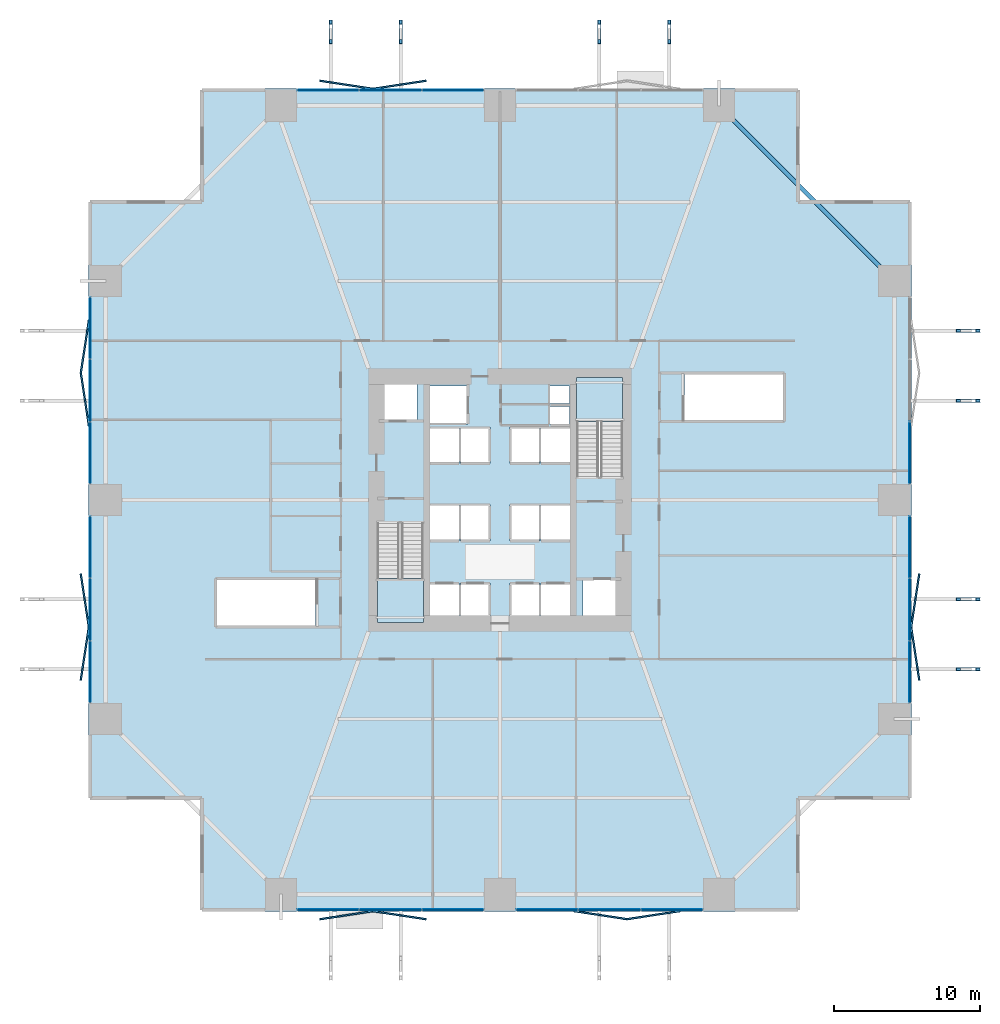
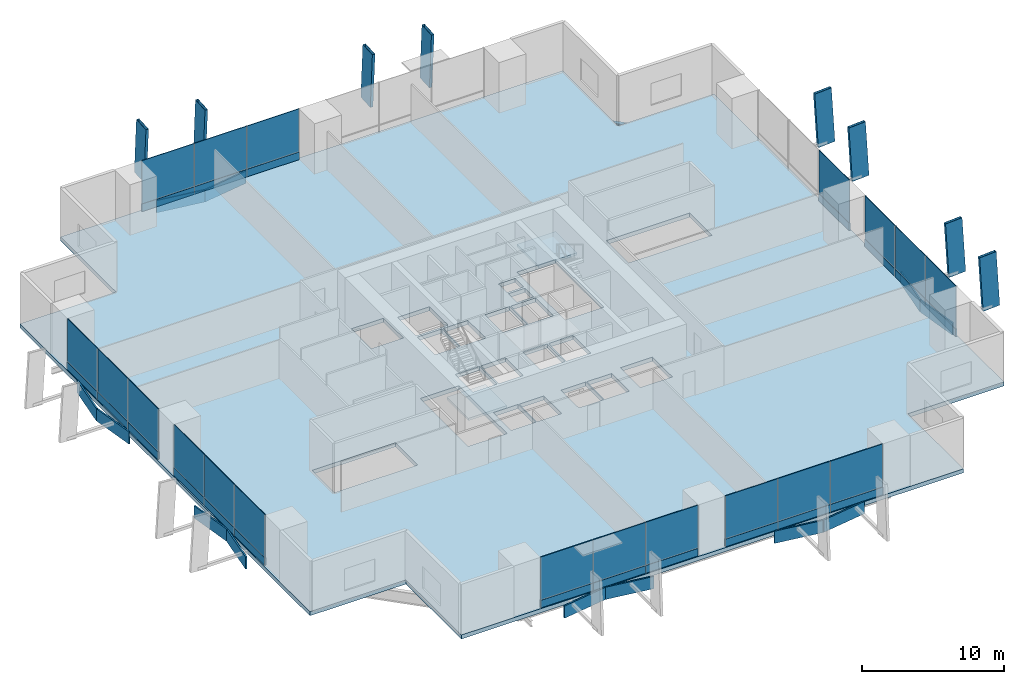
# One storey, part 18 of 24: 50 plates, 8 members, 3 slabs, 1 beam, 9 elements without a shape of their own.
"""IFC4 building model written with IfcOpenShell, lengths in metres."""

from ifc_helpers import new_model, si_unit, direction, frame, origin, origin_2d, place, context, subcontext, project, spatial, polyline, rectangle, hollow_rectangle, i_section, outline, extrude, material, layer, layer_set, material_profile, profile_set, type_object, element, aggregate, save


model = new_model("IFC4")

# Units and contexts
model_context = context("Model", 3, precision=1e-05, world=origin(), true_north=direction((0.0, 1.0)))
body_context = subcontext(model_context, "Body", "Model", "MODEL_VIEW")
ifc_project = project(units=[si_unit("LENGTHUNIT", "METRE"), si_unit("AREAUNIT", "SQUARE_METRE"), si_unit("VOLUMEUNIT", "CUBIC_METRE"), si_unit("PLANEANGLEUNIT", "RADIAN"), si_unit("MASSUNIT", "GRAM", prefix="KILO")], contexts=[model_context])

# Site, building, storey
site_placement = place(None, origin())
site = spatial("IfcSite", under=ifc_project, at=site_placement, CompositionType="ELEMENT")
building_placement = place(site_placement, origin())
building = spatial("IfcBuilding", under=site, at=building_placement, Name="Belovzor Exchange Tower", CompositionType="ELEMENT")
storey_placement = place(building_placement, frame((0.0, 0.0, 19.199951171875)))
storey = spatial("IfcBuildingStorey", under=building, at=storey_placement, Name="L04", CompositionType="ELEMENT", Elevation=19.199951171875)

# Members
ifc_material_1 = material(Name="Extruded Architectural Terracotta on Steel S355 Carrier", Category="masonry")
ifc_material_profile_1 = material_profile(ifc_material_1, hollow_rectangle(XDim=0.219970703125, YDim=1.35009765625, WallThickness=0.013916015625, at=origin_2d()))
ifc_profile_set_1 = profile_set([ifc_material_profile_1], Name="Extruded Architectural Terracotta on Steel S355 Carrier")
member_type = type_object("IfcMemberType", Name="Base Arc Sweeping Terracotta Pylon Fin 1450", PredefinedType="USERDEFINED", material=ifc_profile_set_1)
for number, where, z_axis, x_axis, name in (
    (1, (17.199951171875, 61.001953125, -0.349853515625), (0.0, -0.061387304598, 0.998114020959), (1.0, 0.0, 0.0), "FIN-TC145 Terracotta Facade Fin L04 N1"),
    (2, (61.001953125, 17.199951171875, -0.349853515625), (-0.061387304598, 0.0, 0.998114020959), (0.0, -1.0, 0.0), "FIN-TC145 Terracotta Facade Fin L04 E1"),
    (3, (22.0, 61.001953125, -0.349853515625), (0.0, -0.061387304598, 0.998114020959), (1.0, 0.0, 0.0), "FIN-TC145 Terracotta Facade Fin L04 N2"),
    (4, (61.001953125, 22.0, -0.349853515625), (-0.061387304598, 0.0, 0.998114020959), (0.0, -1.0, 0.0), "FIN-TC145 Terracotta Facade Fin L04 E2"),
    (5, (35.60009765625, 61.001953125, -0.349853515625), (0.0, -0.061387304598, 0.998114020959), (1.0, 0.0, 0.0), "FIN-TC145 Terracotta Facade Fin L04 N3"),
    (6, (61.001953125, 35.60009765625, -0.349853515625), (-0.061387304598, 0.0, 0.998114020959), (0.0, -1.0, 0.0), "FIN-TC145 Terracotta Facade Fin L04 E3"),
    (7, (40.39990234375, 61.001953125, -0.349853515625), (0.0, -0.061387304598, 0.998114020959), (1.0, 0.0, 0.0), "FIN-TC145 Terracotta Facade Fin L04 N4"),
    (8, (61.001953125, 40.39990234375, -0.349853515625), (-0.061387304598, 0.0, 0.998114020959), (0.0, -1.0, 0.0), "FIN-TC145 Terracotta Facade Fin L04 E4"),
):
    element("IfcMember", number, at=place(storey_placement, frame(where, z_axis=z_axis, x_axis=x_axis)), inside=storey, type_object=member_type, Name=name, ObjectType="FIN", PredefinedType="USERDEFINED", context=body_context, shape_type="SweptSolid", body=[
        extrude(hollow_rectangle(XDim=0.219970703125, YDim=1.35009765625, WallThickness=0.013916015625, at=origin_2d()), origin(), (0.0, 0.0, 1.0), 4.708740234375),
    ])

# Beam
ifc_material_2 = material(Name="Steel S460", Category="steel")
ifc_material_profile_2 = material_profile(ifc_material_2, i_section(OverallWidth=0.300048828125, OverallDepth=1.0, WebThickness=0.02099609375, FlangeThickness=0.0400390625, at=origin_2d()))
ifc_profile_set_2 = profile_set([ifc_material_profile_2], Name="Steel S460")
beam_type = type_object("IfcBeamType", Name="Podium Exchange Hall Ring Girder HEM 1000", PredefinedType="BEAM", material=ifc_profile_set_2)
beam_placement = place(storey_placement, frame((55.800048828125, 43.800048828125, -0.849853515625), z_axis=(-0.707106781187, 0.707106781187, 0.0), x_axis=(-0.707106781187, -0.707106781187, 0.0)))
element("IfcBeam", 9, at=beam_placement, inside=storey, type_object=beam_type, Name="PG-1 Podium Exchange Hall Ring Girder HEM 1000", PredefinedType="BEAM", context=body_context, shape_type="SweptSolid", body=[
    extrude(i_section(OverallWidth=0.300048828125, OverallDepth=1.0, WebThickness=0.02099609375, FlangeThickness=0.0400390625, at=origin_2d()), origin(), (0.0, 0.0, 1.0), 16.970458984375),
])

# Plates
ifc_material_3 = material(Name="Extruded Architectural Terracotta", Category="masonry")
ifc_layer_1 = layer(ifc_material_3, 0.1201171875)
ifc_layer_set_1 = layer_set([ifc_layer_1], Name="Extruded Architectural Terracotta")
plate_type_1 = type_object("IfcPlateType", Name="Folded Zigzag Terracotta Spandrel Louvre 80", PredefinedType="USERDEFINED", material=ifc_layer_set_1)
for number, where, z_axis, x_axis, name in (
    (10, (18.300048828125, 0.364990234375, -1.03515625), (0.0, 0.0, 1.0), (0.98853081729, 0.151019281113, 0.0), "LVR-ZZ1 Zigzag Terracotta Spandrel Louvre L04 S1A"),
    (11, (21.89990234375, 0.364990234375, -1.03515625), (0.0, 0.0, 1.0), (0.98853081729, -0.151019281113, 0.0), "LVR-ZZ1 Zigzag Terracotta Spandrel Louvre L04 S1B"),
    (12, (18.300048828125, 57.235107421875, -1.03515625), (0.0, 0.0, 1.0), (0.98853081729, -0.151019281113, 0.0), "LVR-ZZ1 Zigzag Terracotta Spandrel Louvre L04 N1A"),
    (13, (21.89990234375, 57.235107421875, -1.03515625), (0.0, 0.0, 1.0), (0.98853081729, 0.151019281113, 0.0), "LVR-ZZ1 Zigzag Terracotta Spandrel Louvre L04 N1B"),
    (14, (0.364990234375, 18.300048828125, -1.03515625), (0.0, 0.0, 1.0), (0.151019281113, 0.98853081729, 0.0), "LVR-ZZ1 Zigzag Terracotta Spandrel Louvre L04 W1A"),
    (15, (0.364990234375, 21.89990234375, -1.03515625), (0.0, 0.0, 1.0), (-0.151019281113, 0.98853081729, 0.0), "LVR-ZZ1 Zigzag Terracotta Spandrel Louvre L04 W1B"),
    (16, (57.235107421875, 18.300048828125, -1.03515625), (0.0, 0.0, 1.0), (-0.151019281113, 0.98853081729, 0.0), "LVR-ZZ1 Zigzag Terracotta Spandrel Louvre L04 E1A"),
    (17, (57.235107421875, 21.89990234375, -1.03515625), (0.0, 0.0, 1.0), (0.151019281113, 0.98853081729, 0.0), "LVR-ZZ1 Zigzag Terracotta Spandrel Louvre L04 E1B"),
    (18, (35.699951171875, 0.364990234375, -1.03515625), (0.0, 0.0, 1.0), (0.98853081729, -0.151019281113, 0.0), "LVR-ZZ1 Zigzag Terracotta Spandrel Louvre L04 S2A"),
    (19, (39.300048828125, 0.364990234375, -1.03515625), (0.0, 0.0, 1.0), (0.98853081729, 0.151019281113, 0.0), "LVR-ZZ1 Zigzag Terracotta Spandrel Louvre L04 S2B"),
    (20, (0.364990234375, 35.699951171875, -1.03515625), (0.0, 0.0, 1.0), (-0.151019281113, 0.98853081729, 0.0), "LVR-ZZ1 Zigzag Terracotta Spandrel Louvre L04 W2A"),
    (21, (0.364990234375, 39.300048828125, -1.03515625), (0.0, 0.0, 1.0), (0.151019281113, 0.98853081729, 0.0), "LVR-ZZ1 Zigzag Terracotta Spandrel Louvre L04 W2B"),
):
    element("IfcPlate", number, at=place(storey_placement, frame(where, z_axis=z_axis, x_axis=x_axis)), inside=storey, type_object=plate_type_1, Name=name, ObjectType="SPANDREL_LOUVRE", PredefinedType="USERDEFINED", context=body_context, shape_type="SweptSolid", body=[
        extrude(rectangle(XDim=3.721923828125, YDim=0.1201171875, at=origin_2d()), origin(), (0.0, 0.0, 1.0), 1.050048828125),
    ])

# Curtain wall, plates
ifc_material_4 = material(Name="Anodised Aluminium Framing", Category="aluminium")
ifc_layer_2 = layer(ifc_material_4, 0.2099609375)
ifc_layer_set_2 = layer_set([ifc_layer_2], Name="Anodised Aluminium Framing")
curtain_wall_type = type_object("IfcCurtainWallType", Name="Double-Height Concourse & Gallery Curtain Wall", PredefinedType="NOTDEFINED", material=ifc_layer_set_2)
curtain_wall_1_placement = place(storey_placement, origin())
curtain_wall_1 = element("IfcCurtainWall", 22, at=curtain_wall_1_placement, inside=storey, type_object=curtain_wall_type, Name="CW2 Double-Height Concourse & Gallery Curtain Wall L04", PredefinedType="NOTDEFINED")
ifc_material_5 = material(Name="Reconstituted Limestone Cassette", Category="masonry")
ifc_layer_3 = layer(ifc_material_5, 0.110107421875)
ifc_layer_set_3 = layer_set([ifc_layer_3], Name="Reconstituted Limestone Cassette")
plate_type_2 = type_object("IfcPlateType", Name="Insulated Stone-Faced Spandrel Cassette 110", PredefinedType="CURTAIN_PANEL", material=ifc_layer_set_3)
plate_1_placement = place(storey_placement, frame((25.56689453125, 0.72998046875, 0.0), z_axis=(0.0, 0.0, 1.0), x_axis=(-1.0, 0.0, 0.0)))
plate_1 = element("IfcPlate", 23, at=plate_1_placement, type_object=plate_type_2, Name="SPD-110 Spandrel Panel 1", PredefinedType="CURTAIN_PANEL", context=body_context, shape_type="SweptSolid", body=[
    extrude(rectangle(XDim=4.2509765625, YDim=0.110107421875, at=origin_2d()), origin(), (0.0, 0.0, 1.0), 0.64794921875),
])
plate_2_placement = place(storey_placement, frame((21.300048828125, 0.72998046875, 0.0), z_axis=(0.0, 0.0, 1.0), x_axis=(-1.0, 0.0, 0.0)))
plate_2 = element("IfcPlate", 24, at=plate_2_placement, type_object=plate_type_2, Name="SPD-110 Spandrel Panel 2", PredefinedType="CURTAIN_PANEL", context=body_context, shape_type="SweptSolid", body=[
    extrude(rectangle(XDim=4.2509765625, YDim=0.110107421875, at=origin_2d()), origin(), (0.0, 0.0, 1.0), 0.64794921875),
])
plate_3_placement = place(storey_placement, frame((17.032958984375, 0.72998046875, 0.0), z_axis=(0.0, 0.0, 1.0), x_axis=(-1.0, 0.0, 0.0)))
plate_3 = element("IfcPlate", 25, at=plate_3_placement, type_object=plate_type_2, Name="SPD-110 Spandrel Panel 3", PredefinedType="CURTAIN_PANEL", context=body_context, shape_type="SweptSolid", body=[
    extrude(rectangle(XDim=4.2509765625, YDim=0.110107421875, at=origin_2d()), origin(), (0.0, 0.0, 1.0), 0.64794921875),
])

curtain_wall_2_placement = place(storey_placement, origin())
curtain_wall_2 = element("IfcCurtainWall", 26, at=curtain_wall_2_placement, inside=storey, type_object=curtain_wall_type, Name="CW2 Double-Height Concourse & Gallery Curtain Wall L04", PredefinedType="NOTDEFINED")
plate_4_placement = place(storey_placement, frame((40.56689453125, 0.72998046875, 0.0), z_axis=(0.0, 0.0, 1.0), x_axis=(-1.0, 0.0, 0.0)))
plate_4 = element("IfcPlate", 27, at=plate_4_placement, type_object=plate_type_2, Name="SPD-110 Spandrel Panel 1", PredefinedType="CURTAIN_PANEL", context=body_context, shape_type="SweptSolid", body=[
    extrude(rectangle(XDim=4.2509765625, YDim=0.110107421875, at=origin_2d()), origin(), (0.0, 0.0, 1.0), 0.64794921875),
])
plate_5_placement = place(storey_placement, frame((36.300048828125, 0.72998046875, 0.0), z_axis=(0.0, 0.0, 1.0), x_axis=(-1.0, 0.0, 0.0)))
plate_5 = element("IfcPlate", 28, at=plate_5_placement, type_object=plate_type_2, Name="SPD-110 Spandrel Panel 2", PredefinedType="CURTAIN_PANEL", context=body_context, shape_type="SweptSolid", body=[
    extrude(rectangle(XDim=4.2509765625, YDim=0.110107421875, at=origin_2d()), origin(), (0.0, 0.0, 1.0), 0.64794921875),
])
plate_6_placement = place(storey_placement, frame((32.032958984375, 0.72998046875, 0.0), z_axis=(0.0, 0.0, 1.0), x_axis=(-1.0, 0.0, 0.0)))
plate_6 = element("IfcPlate", 29, at=plate_6_placement, type_object=plate_type_2, Name="SPD-110 Spandrel Panel 3", PredefinedType="CURTAIN_PANEL", context=body_context, shape_type="SweptSolid", body=[
    extrude(rectangle(XDim=4.2509765625, YDim=0.110107421875, at=origin_2d()), origin(), (0.0, 0.0, 1.0), 0.64794921875),
])

curtain_wall_3_placement = place(storey_placement, origin())
curtain_wall_3 = element("IfcCurtainWall", 30, at=curtain_wall_3_placement, inside=storey, type_object=curtain_wall_type, Name="CW2 Double-Height Concourse & Gallery Curtain Wall L04", PredefinedType="NOTDEFINED")
plate_7_placement = place(storey_placement, frame((17.032958984375, 56.8701171875, 0.0), z_axis=(0.0, 0.0, 1.0), x_axis=(1.0, 0.0, 0.0)))
plate_7 = element("IfcPlate", 31, at=plate_7_placement, type_object=plate_type_2, Name="SPD-110 Spandrel Panel 1", PredefinedType="CURTAIN_PANEL", context=body_context, shape_type="SweptSolid", body=[
    extrude(rectangle(XDim=4.2509765625, YDim=0.110107421875, at=origin_2d()), origin(), (0.0, 0.0, 1.0), 0.64794921875),
])
plate_8_placement = place(storey_placement, frame((21.300048828125, 56.8701171875, 0.0), z_axis=(0.0, 0.0, 1.0), x_axis=(1.0, 0.0, 0.0)))
plate_8 = element("IfcPlate", 32, at=plate_8_placement, type_object=plate_type_2, Name="SPD-110 Spandrel Panel 2", PredefinedType="CURTAIN_PANEL", context=body_context, shape_type="SweptSolid", body=[
    extrude(rectangle(XDim=4.2509765625, YDim=0.110107421875, at=origin_2d()), origin(), (0.0, 0.0, 1.0), 0.64794921875),
])
plate_9_placement = place(storey_placement, frame((25.56689453125, 56.8701171875, 0.0), z_axis=(0.0, 0.0, 1.0), x_axis=(1.0, 0.0, 0.0)))
plate_9 = element("IfcPlate", 33, at=plate_9_placement, type_object=plate_type_2, Name="SPD-110 Spandrel Panel 3", PredefinedType="CURTAIN_PANEL", context=body_context, shape_type="SweptSolid", body=[
    extrude(rectangle(XDim=4.2509765625, YDim=0.110107421875, at=origin_2d()), origin(), (0.0, 0.0, 1.0), 0.64794921875),
])

curtain_wall_4_placement = place(storey_placement, origin())
curtain_wall_4 = element("IfcCurtainWall", 34, at=curtain_wall_4_placement, inside=storey, type_object=curtain_wall_type, Name="CW2 Double-Height Concourse & Gallery Curtain Wall L04", PredefinedType="NOTDEFINED")
plate_10_placement = place(storey_placement, frame((0.72998046875, 17.032958984375, 0.0), z_axis=(0.0, 0.0, 1.0), x_axis=(0.0, 1.0, 0.0)))
plate_10 = element("IfcPlate", 35, at=plate_10_placement, type_object=plate_type_2, Name="SPD-110 Spandrel Panel 1", PredefinedType="CURTAIN_PANEL", context=body_context, shape_type="SweptSolid", body=[
    extrude(rectangle(XDim=4.2509765625, YDim=0.110107421875, at=origin_2d()), origin(), (0.0, 0.0, 1.0), 0.64794921875),
])
plate_11_placement = place(storey_placement, frame((0.72998046875, 21.300048828125, 0.0), z_axis=(0.0, 0.0, 1.0), x_axis=(0.0, 1.0, 0.0)))
plate_11 = element("IfcPlate", 36, at=plate_11_placement, type_object=plate_type_2, Name="SPD-110 Spandrel Panel 2", PredefinedType="CURTAIN_PANEL", context=body_context, shape_type="SweptSolid", body=[
    extrude(rectangle(XDim=4.2509765625, YDim=0.110107421875, at=origin_2d()), origin(), (0.0, 0.0, 1.0), 0.64794921875),
])
plate_12_placement = place(storey_placement, frame((0.72998046875, 25.56689453125, 0.0), z_axis=(0.0, 0.0, 1.0), x_axis=(0.0, 1.0, 0.0)))
plate_12 = element("IfcPlate", 37, at=plate_12_placement, type_object=plate_type_2, Name="SPD-110 Spandrel Panel 3", PredefinedType="CURTAIN_PANEL", context=body_context, shape_type="SweptSolid", body=[
    extrude(rectangle(XDim=4.2509765625, YDim=0.110107421875, at=origin_2d()), origin(), (0.0, 0.0, 1.0), 0.64794921875),
])

curtain_wall_5_placement = place(storey_placement, origin())
curtain_wall_5 = element("IfcCurtainWall", 38, at=curtain_wall_5_placement, inside=storey, type_object=curtain_wall_type, Name="CW2 Double-Height Concourse & Gallery Curtain Wall L04", PredefinedType="NOTDEFINED")
plate_13_placement = place(storey_placement, frame((0.72998046875, 32.032958984375, 0.0), z_axis=(0.0, 0.0, 1.0), x_axis=(0.0, 1.0, 0.0)))
plate_13 = element("IfcPlate", 39, at=plate_13_placement, type_object=plate_type_2, Name="SPD-110 Spandrel Panel 1", PredefinedType="CURTAIN_PANEL", context=body_context, shape_type="SweptSolid", body=[
    extrude(rectangle(XDim=4.2509765625, YDim=0.110107421875, at=origin_2d()), origin(), (0.0, 0.0, 1.0), 0.64794921875),
])
plate_14_placement = place(storey_placement, frame((0.72998046875, 36.300048828125, 0.0), z_axis=(0.0, 0.0, 1.0), x_axis=(0.0, 1.0, 0.0)))
plate_14 = element("IfcPlate", 40, at=plate_14_placement, type_object=plate_type_2, Name="SPD-110 Spandrel Panel 2", PredefinedType="CURTAIN_PANEL", context=body_context, shape_type="SweptSolid", body=[
    extrude(rectangle(XDim=4.2509765625, YDim=0.110107421875, at=origin_2d()), origin(), (0.0, 0.0, 1.0), 0.64794921875),
])
plate_15_placement = place(storey_placement, frame((0.72998046875, 40.56689453125, 0.0), z_axis=(0.0, 0.0, 1.0), x_axis=(0.0, 1.0, 0.0)))
plate_15 = element("IfcPlate", 41, at=plate_15_placement, type_object=plate_type_2, Name="SPD-110 Spandrel Panel 3", PredefinedType="CURTAIN_PANEL", context=body_context, shape_type="SweptSolid", body=[
    extrude(rectangle(XDim=4.2509765625, YDim=0.110107421875, at=origin_2d()), origin(), (0.0, 0.0, 1.0), 0.64794921875),
])

curtain_wall_6_placement = place(storey_placement, origin())
curtain_wall_6 = element("IfcCurtainWall", 42, at=curtain_wall_6_placement, inside=storey, type_object=curtain_wall_type, Name="CW2 Double-Height Concourse & Gallery Curtain Wall L04", PredefinedType="NOTDEFINED")
plate_16_placement = place(storey_placement, frame((56.8701171875, 25.56689453125, 0.0), z_axis=(0.0, 0.0, 1.0), x_axis=(0.0, -1.0, 0.0)))
plate_16 = element("IfcPlate", 43, at=plate_16_placement, type_object=plate_type_2, Name="SPD-110 Spandrel Panel 1", PredefinedType="CURTAIN_PANEL", context=body_context, shape_type="SweptSolid", body=[
    extrude(rectangle(XDim=4.2509765625, YDim=0.110107421875, at=origin_2d()), origin(), (0.0, 0.0, 1.0), 0.64794921875),
])
plate_17_placement = place(storey_placement, frame((56.8701171875, 21.300048828125, 0.0), z_axis=(0.0, 0.0, 1.0), x_axis=(0.0, -1.0, 0.0)))
plate_17 = element("IfcPlate", 44, at=plate_17_placement, type_object=plate_type_2, Name="SPD-110 Spandrel Panel 2", PredefinedType="CURTAIN_PANEL", context=body_context, shape_type="SweptSolid", body=[
    extrude(rectangle(XDim=4.2509765625, YDim=0.110107421875, at=origin_2d()), origin(), (0.0, 0.0, 1.0), 0.64794921875),
])
plate_18_placement = place(storey_placement, frame((56.8701171875, 17.032958984375, 0.0), z_axis=(0.0, 0.0, 1.0), x_axis=(0.0, -1.0, 0.0)))
plate_18 = element("IfcPlate", 45, at=plate_18_placement, type_object=plate_type_2, Name="SPD-110 Spandrel Panel 3", PredefinedType="CURTAIN_PANEL", context=body_context, shape_type="SweptSolid", body=[
    extrude(rectangle(XDim=4.2509765625, YDim=0.110107421875, at=origin_2d()), origin(), (0.0, 0.0, 1.0), 0.64794921875),
])

# Curtain wall, plate
curtain_wall_7_placement = place(storey_placement, origin())
curtain_wall_7 = element("IfcCurtainWall", 46, at=curtain_wall_7_placement, inside=storey, type_object=curtain_wall_type, Name="CW2 Double-Height Concourse & Gallery Curtain Wall L04", PredefinedType="NOTDEFINED")
plate_19_placement = place(storey_placement, frame((56.8701171875, 32.032958984375, 0.0), z_axis=(0.0, 0.0, 1.0), x_axis=(0.0, -1.0, 0.0)))
plate_19 = element("IfcPlate", 47, at=plate_19_placement, type_object=plate_type_2, Name="SPD-110 Spandrel Panel 3", PredefinedType="CURTAIN_PANEL", context=body_context, shape_type="SweptSolid", body=[
    extrude(rectangle(XDim=4.2509765625, YDim=0.110107421875, at=origin_2d()), origin(), (0.0, 0.0, 1.0), 0.64794921875),
])

# Slab
ifc_material_6 = material(Name="Concrete C50/60", Category="concrete")
ifc_layer_4 = layer(ifc_material_6, 0.35009765625)
ifc_layer_set_4 = layer_set([ifc_layer_4], Name="Concrete C50/60")
slab_type_1 = type_object("IfcSlabType", Name="Reinforced Concrete Podium Hall Floor Slab 350", PredefinedType="FLOOR", material=ifc_layer_set_4)
slab_1_placement = place(storey_placement, frame((0.0, 0.0, -0.349853515625)))
element("IfcSlab", 48, at=slab_1_placement, inside=storey, type_object=slab_type_1, Name="SL-F350 Structural Slab L04", PredefinedType="FLOOR", context=body_context, shape_type="SweptSolid", body=[
    extrude(outline(polyline([(8.39990234375, 0.60009765625), (49.199951171875, 0.60009765625), (49.199951171875, 8.39990234375), (57.0, 8.39990234375), (57.0, 49.199951171875), (49.199951171875, 49.199951171875), (49.199951171875, 57.0), (8.39990234375, 57.0), (8.39990234375, 49.199951171875), (0.60009765625, 49.199951171875), (0.60009765625, 8.39990234375), (8.39990234375, 8.39990234375), (8.39990234375, 0.60009765625)]), holes=[polyline([(20.39990234375, 27.175048828125), (20.39990234375, 20.39990234375), (23.550048828125, 20.39990234375), (23.550048828125, 27.175048828125), (20.39990234375, 27.175048828125)]), polyline([(37.199951171875, 30.425048828125), (37.199951171875, 37.199951171875), (34.050048828125, 37.199951171875), (34.050048828125, 30.425048828125), (37.199951171875, 30.425048828125)]), polyline([(16.175048828125, 23.35009765625), (9.39990234375, 23.35009765625), (9.39990234375, 20.199951171875), (16.175048828125, 20.199951171875), (16.175048828125, 23.35009765625)]), polyline([(41.425048828125, 34.25), (48.199951171875, 34.25), (48.199951171875, 37.39990234375), (41.425048828125, 37.39990234375), (41.425048828125, 34.25)]), polyline([(20.5, 34.199951171875), (23.10009765625, 34.199951171875), (23.10009765625, 37.0), (20.5, 37.0), (20.5, 34.199951171875)]), polyline([(34.5, 20.60009765625), (37.10009765625, 20.60009765625), (37.10009765625, 23.39990234375), (34.5, 23.39990234375), (34.5, 20.60009765625)]), polyline([(24.0, 34.0), (26.60009765625, 34.0), (26.60009765625, 36.60009765625), (24.0, 36.60009765625), (24.0, 34.0)]), polyline([(24.0, 20.60009765625), (26.0, 20.60009765625), (26.0, 23.10009765625), (24.0, 23.10009765625), (24.0, 20.60009765625)]), polyline([(26.10009765625, 20.60009765625), (28.10009765625, 20.60009765625), (28.10009765625, 23.10009765625), (26.10009765625, 23.10009765625), (26.10009765625, 20.60009765625)]), polyline([(29.5, 20.60009765625), (31.5, 20.60009765625), (31.5, 23.10009765625), (29.5, 23.10009765625), (29.5, 20.60009765625)]), polyline([(31.60009765625, 20.60009765625), (33.60009765625, 20.60009765625), (33.60009765625, 23.10009765625), (31.60009765625, 23.10009765625), (31.60009765625, 20.60009765625)]), polyline([(24.0, 26.0), (26.0, 26.0), (26.0, 28.5), (24.0, 28.5), (24.0, 26.0)]), polyline([(26.10009765625, 26.0), (28.10009765625, 26.0), (28.10009765625, 28.5), (26.10009765625, 28.5), (26.10009765625, 26.0)]), polyline([(29.5, 26.0), (31.5, 26.0), (31.5, 28.5), (29.5, 28.5), (29.5, 26.0)]), polyline([(31.60009765625, 26.0), (33.60009765625, 26.0), (33.60009765625, 28.5), (31.60009765625, 28.5), (31.60009765625, 26.0)]), polyline([(24.0, 31.300048828125), (26.0, 31.300048828125), (26.0, 33.800048828125), (24.0, 33.800048828125), (24.0, 31.300048828125)]), polyline([(26.10009765625, 31.300048828125), (28.10009765625, 31.300048828125), (28.10009765625, 33.800048828125), (26.10009765625, 33.800048828125), (26.10009765625, 31.300048828125)]), polyline([(29.5, 31.300048828125), (31.5, 31.300048828125), (31.5, 33.800048828125), (29.5, 33.800048828125), (29.5, 31.300048828125)]), polyline([(31.60009765625, 31.300048828125), (33.60009765625, 31.300048828125), (33.60009765625, 33.800048828125), (31.60009765625, 33.800048828125), (31.60009765625, 31.300048828125)]), polyline([(32.199951171875, 34.0), (33.550048828125, 34.0), (33.550048828125, 35.199951171875), (32.199951171875, 35.199951171875), (32.199951171875, 34.0)]), polyline([(32.199951171875, 35.39990234375), (33.550048828125, 35.39990234375), (33.550048828125, 36.60009765625), (32.199951171875, 36.60009765625), (32.199951171875, 35.39990234375)])]), origin(), (0.0, 0.0, 1.0), 0.349853515625),
])

# Stair, slab
ifc_material_7 = material(Name="Concrete C40/50", Category="concrete")
stair_type = type_object("IfcStairType", Name="Reinforced Concrete Dogleg Escape Stair 1350", PredefinedType="HALF_TURN_STAIR", material=ifc_material_7)
stair_1_placement = place(storey_placement, origin())
stair_1 = element("IfcStair", 49, at=stair_1_placement, inside=storey, type_object=stair_type, Name="L04 ST-1", PredefinedType="HALF_TURN_STAIR")
ifc_material_8 = material(Name="Concrete C40/50", Category="concrete")
ifc_layer_5 = layer(ifc_material_8, 0.199951171875)
ifc_layer_set_5 = layer_set([ifc_layer_5], Name="Concrete C40/50")
slab_type_2 = type_object("IfcSlabType", Name="Reinforced Concrete Stair Half-Landing Slab 200", PredefinedType="LANDING", material=ifc_layer_set_5)
slab_2_placement = place(storey_placement, frame((0.0, 0.0, 2.199951171875)))
slab_2 = element("IfcSlab", 50, at=slab_2_placement, type_object=slab_type_2, Name="ST-1 landing 1", PredefinedType="LANDING", context=body_context, shape_type="SweptSolid", body=[
    extrude(outline(polyline([(20.39990234375, 23.429931640625), (20.39990234375, 20.39990234375), (23.550048828125, 20.39990234375), (23.550048828125, 23.429931640625), (20.39990234375, 23.429931640625)])), origin(), (0.0, 0.0, 1.0), 0.2001953125),
])
aggregate(stair_1, [slab_2])

stair_2_placement = place(storey_placement, origin())
stair_2 = element("IfcStair", 51, at=stair_2_placement, inside=storey, type_object=stair_type, Name="L04 ST-2", PredefinedType="HALF_TURN_STAIR")
slab_3_placement = place(storey_placement, frame((0.0, 0.0, 2.199951171875)))
slab_3 = element("IfcSlab", 52, at=slab_3_placement, type_object=slab_type_2, Name="ST-2 landing 1", PredefinedType="LANDING", context=body_context, shape_type="SweptSolid", body=[
    extrude(outline(polyline([(37.199951171875, 34.169921875), (37.199951171875, 37.199951171875), (34.050048828125, 37.199951171875), (34.050048828125, 34.169921875), (37.199951171875, 34.169921875)])), origin(), (0.0, 0.0, 1.0), 0.2001953125),
])
aggregate(stair_2, [slab_3])

# Plate
ifc_material_9 = material(Name="Low-Iron Triple Glazing", Category="glass")
ifc_layer_6 = layer(ifc_material_9, 0.053955078125)
ifc_layer_set_6 = layer_set([ifc_layer_6], Name="Low-Iron Triple Glazing")
plate_type_3 = type_object("IfcPlateType", Name="Triple-Glazed Low-Iron Curtain Panel 54", PredefinedType="CURTAIN_PANEL", material=ifc_layer_set_6)
plate_20_placement = place(storey_placement, frame((25.56689453125, 0.72998046875, 0.65185546875), z_axis=(0.0, 0.0, 1.0), x_axis=(-1.0, 0.0, 0.0)))
plate_20 = element("IfcPlate", 53, at=plate_20_placement, type_object=plate_type_3, Name="GLZ-54 Glazed Curtain Panel 1", PredefinedType="CURTAIN_PANEL", context=body_context, shape_type="SweptSolid", body=[
    extrude(rectangle(XDim=4.2509765625, YDim=0.053955078125, at=origin_2d()), origin(), (0.0, 0.0, 1.0), 3.697998046875),
])

plate_21_placement = place(storey_placement, frame((21.300048828125, 0.72998046875, 0.65185546875), z_axis=(0.0, 0.0, 1.0), x_axis=(-1.0, 0.0, 0.0)))
plate_21 = element("IfcPlate", 54, at=plate_21_placement, type_object=plate_type_3, Name="GLZ-54 Glazed Curtain Panel 2", PredefinedType="CURTAIN_PANEL", context=body_context, shape_type="SweptSolid", body=[
    extrude(rectangle(XDim=4.2509765625, YDim=0.053955078125, at=origin_2d()), origin(), (0.0, 0.0, 1.0), 3.697998046875),
])

plate_22_placement = place(storey_placement, frame((17.032958984375, 0.72998046875, 0.65185546875), z_axis=(0.0, 0.0, 1.0), x_axis=(-1.0, 0.0, 0.0)))
plate_22 = element("IfcPlate", 55, at=plate_22_placement, type_object=plate_type_3, Name="GLZ-54 Glazed Curtain Panel 3", PredefinedType="CURTAIN_PANEL", context=body_context, shape_type="SweptSolid", body=[
    extrude(rectangle(XDim=4.2509765625, YDim=0.053955078125, at=origin_2d()), origin(), (0.0, 0.0, 1.0), 3.697998046875),
])

aggregate(curtain_wall_1, [plate_1, plate_20, plate_2, plate_21, plate_3, plate_22])

plate_23_placement = place(storey_placement, frame((40.56689453125, 0.72998046875, 0.65185546875), z_axis=(0.0, 0.0, 1.0), x_axis=(-1.0, 0.0, 0.0)))
plate_23 = element("IfcPlate", 56, at=plate_23_placement, type_object=plate_type_3, Name="GLZ-54 Glazed Curtain Panel 1", PredefinedType="CURTAIN_PANEL", context=body_context, shape_type="SweptSolid", body=[
    extrude(rectangle(XDim=4.2509765625, YDim=0.053955078125, at=origin_2d()), origin(), (0.0, 0.0, 1.0), 3.697998046875),
])

plate_24_placement = place(storey_placement, frame((36.300048828125, 0.72998046875, 0.65185546875), z_axis=(0.0, 0.0, 1.0), x_axis=(-1.0, 0.0, 0.0)))
plate_24 = element("IfcPlate", 57, at=plate_24_placement, type_object=plate_type_3, Name="GLZ-54 Glazed Curtain Panel 2", PredefinedType="CURTAIN_PANEL", context=body_context, shape_type="SweptSolid", body=[
    extrude(rectangle(XDim=4.2509765625, YDim=0.053955078125, at=origin_2d()), origin(), (0.0, 0.0, 1.0), 3.697998046875),
])

plate_25_placement = place(storey_placement, frame((32.032958984375, 0.72998046875, 0.65185546875), z_axis=(0.0, 0.0, 1.0), x_axis=(-1.0, 0.0, 0.0)))
plate_25 = element("IfcPlate", 58, at=plate_25_placement, type_object=plate_type_3, Name="GLZ-54 Glazed Curtain Panel 3", PredefinedType="CURTAIN_PANEL", context=body_context, shape_type="SweptSolid", body=[
    extrude(rectangle(XDim=4.2509765625, YDim=0.053955078125, at=origin_2d()), origin(), (0.0, 0.0, 1.0), 3.697998046875),
])

aggregate(curtain_wall_2, [plate_4, plate_23, plate_5, plate_24, plate_6, plate_25])

plate_26_placement = place(storey_placement, frame((17.032958984375, 56.8701171875, 0.65185546875), z_axis=(0.0, 0.0, 1.0), x_axis=(1.0, 0.0, 0.0)))
plate_26 = element("IfcPlate", 59, at=plate_26_placement, type_object=plate_type_3, Name="GLZ-54 Glazed Curtain Panel 1", PredefinedType="CURTAIN_PANEL", context=body_context, shape_type="SweptSolid", body=[
    extrude(rectangle(XDim=4.2509765625, YDim=0.053955078125, at=origin_2d()), origin(), (0.0, 0.0, 1.0), 3.697998046875),
])

plate_27_placement = place(storey_placement, frame((21.300048828125, 56.8701171875, 0.65185546875), z_axis=(0.0, 0.0, 1.0), x_axis=(1.0, 0.0, 0.0)))
plate_27 = element("IfcPlate", 60, at=plate_27_placement, type_object=plate_type_3, Name="GLZ-54 Glazed Curtain Panel 2", PredefinedType="CURTAIN_PANEL", context=body_context, shape_type="SweptSolid", body=[
    extrude(rectangle(XDim=4.2509765625, YDim=0.053955078125, at=origin_2d()), origin(), (0.0, 0.0, 1.0), 3.697998046875),
])

plate_28_placement = place(storey_placement, frame((25.56689453125, 56.8701171875, 0.65185546875), z_axis=(0.0, 0.0, 1.0), x_axis=(1.0, 0.0, 0.0)))
plate_28 = element("IfcPlate", 61, at=plate_28_placement, type_object=plate_type_3, Name="GLZ-54 Glazed Curtain Panel 3", PredefinedType="CURTAIN_PANEL", context=body_context, shape_type="SweptSolid", body=[
    extrude(rectangle(XDim=4.2509765625, YDim=0.053955078125, at=origin_2d()), origin(), (0.0, 0.0, 1.0), 3.697998046875),
])

aggregate(curtain_wall_3, [plate_7, plate_26, plate_8, plate_27, plate_9, plate_28])

plate_29_placement = place(storey_placement, frame((0.72998046875, 17.032958984375, 0.65185546875), z_axis=(0.0, 0.0, 1.0), x_axis=(0.0, 1.0, 0.0)))
plate_29 = element("IfcPlate", 62, at=plate_29_placement, type_object=plate_type_3, Name="GLZ-54 Glazed Curtain Panel 1", PredefinedType="CURTAIN_PANEL", context=body_context, shape_type="SweptSolid", body=[
    extrude(rectangle(XDim=4.2509765625, YDim=0.053955078125, at=origin_2d()), origin(), (0.0, 0.0, 1.0), 3.697998046875),
])

plate_30_placement = place(storey_placement, frame((0.72998046875, 21.300048828125, 0.65185546875), z_axis=(0.0, 0.0, 1.0), x_axis=(0.0, 1.0, 0.0)))
plate_30 = element("IfcPlate", 63, at=plate_30_placement, type_object=plate_type_3, Name="GLZ-54 Glazed Curtain Panel 2", PredefinedType="CURTAIN_PANEL", context=body_context, shape_type="SweptSolid", body=[
    extrude(rectangle(XDim=4.2509765625, YDim=0.053955078125, at=origin_2d()), origin(), (0.0, 0.0, 1.0), 3.697998046875),
])

plate_31_placement = place(storey_placement, frame((0.72998046875, 25.56689453125, 0.65185546875), z_axis=(0.0, 0.0, 1.0), x_axis=(0.0, 1.0, 0.0)))
plate_31 = element("IfcPlate", 64, at=plate_31_placement, type_object=plate_type_3, Name="GLZ-54 Glazed Curtain Panel 3", PredefinedType="CURTAIN_PANEL", context=body_context, shape_type="SweptSolid", body=[
    extrude(rectangle(XDim=4.2509765625, YDim=0.053955078125, at=origin_2d()), origin(), (0.0, 0.0, 1.0), 3.697998046875),
])

aggregate(curtain_wall_4, [plate_10, plate_29, plate_11, plate_30, plate_12, plate_31])

plate_32_placement = place(storey_placement, frame((0.72998046875, 32.032958984375, 0.65185546875), z_axis=(0.0, 0.0, 1.0), x_axis=(0.0, 1.0, 0.0)))
plate_32 = element("IfcPlate", 65, at=plate_32_placement, type_object=plate_type_3, Name="GLZ-54 Glazed Curtain Panel 1", PredefinedType="CURTAIN_PANEL", context=body_context, shape_type="SweptSolid", body=[
    extrude(rectangle(XDim=4.2509765625, YDim=0.053955078125, at=origin_2d()), origin(), (0.0, 0.0, 1.0), 3.697998046875),
])

plate_33_placement = place(storey_placement, frame((0.72998046875, 36.300048828125, 0.65185546875), z_axis=(0.0, 0.0, 1.0), x_axis=(0.0, 1.0, 0.0)))
plate_33 = element("IfcPlate", 66, at=plate_33_placement, type_object=plate_type_3, Name="GLZ-54 Glazed Curtain Panel 2", PredefinedType="CURTAIN_PANEL", context=body_context, shape_type="SweptSolid", body=[
    extrude(rectangle(XDim=4.2509765625, YDim=0.053955078125, at=origin_2d()), origin(), (0.0, 0.0, 1.0), 3.697998046875),
])

plate_34_placement = place(storey_placement, frame((0.72998046875, 40.56689453125, 0.65185546875), z_axis=(0.0, 0.0, 1.0), x_axis=(0.0, 1.0, 0.0)))
plate_34 = element("IfcPlate", 67, at=plate_34_placement, type_object=plate_type_3, Name="GLZ-54 Glazed Curtain Panel 3", PredefinedType="CURTAIN_PANEL", context=body_context, shape_type="SweptSolid", body=[
    extrude(rectangle(XDim=4.2509765625, YDim=0.053955078125, at=origin_2d()), origin(), (0.0, 0.0, 1.0), 3.697998046875),
])

aggregate(curtain_wall_5, [plate_13, plate_32, plate_14, plate_33, plate_15, plate_34])

plate_35_placement = place(storey_placement, frame((56.8701171875, 25.56689453125, 0.65185546875), z_axis=(0.0, 0.0, 1.0), x_axis=(0.0, -1.0, 0.0)))
plate_35 = element("IfcPlate", 68, at=plate_35_placement, type_object=plate_type_3, Name="GLZ-54 Glazed Curtain Panel 1", PredefinedType="CURTAIN_PANEL", context=body_context, shape_type="SweptSolid", body=[
    extrude(rectangle(XDim=4.2509765625, YDim=0.053955078125, at=origin_2d()), origin(), (0.0, 0.0, 1.0), 3.697998046875),
])

plate_36_placement = place(storey_placement, frame((56.8701171875, 21.300048828125, 0.65185546875), z_axis=(0.0, 0.0, 1.0), x_axis=(0.0, -1.0, 0.0)))
plate_36 = element("IfcPlate", 69, at=plate_36_placement, type_object=plate_type_3, Name="GLZ-54 Glazed Curtain Panel 2", PredefinedType="CURTAIN_PANEL", context=body_context, shape_type="SweptSolid", body=[
    extrude(rectangle(XDim=4.2509765625, YDim=0.053955078125, at=origin_2d()), origin(), (0.0, 0.0, 1.0), 3.697998046875),
])

plate_37_placement = place(storey_placement, frame((56.8701171875, 17.032958984375, 0.65185546875), z_axis=(0.0, 0.0, 1.0), x_axis=(0.0, -1.0, 0.0)))
plate_37 = element("IfcPlate", 70, at=plate_37_placement, type_object=plate_type_3, Name="GLZ-54 Glazed Curtain Panel 3", PredefinedType="CURTAIN_PANEL", context=body_context, shape_type="SweptSolid", body=[
    extrude(rectangle(XDim=4.2509765625, YDim=0.053955078125, at=origin_2d()), origin(), (0.0, 0.0, 1.0), 3.697998046875),
])

aggregate(curtain_wall_6, [plate_16, plate_35, plate_17, plate_36, plate_18, plate_37])

plate_38_placement = place(storey_placement, frame((56.8701171875, 32.032958984375, 0.65185546875), z_axis=(0.0, 0.0, 1.0), x_axis=(0.0, -1.0, 0.0)))
plate_38 = element("IfcPlate", 71, at=plate_38_placement, type_object=plate_type_3, Name="GLZ-54 Glazed Curtain Panel 3", PredefinedType="CURTAIN_PANEL", context=body_context, shape_type="SweptSolid", body=[
    extrude(rectangle(XDim=4.2509765625, YDim=0.053955078125, at=origin_2d()), origin(), (0.0, 0.0, 1.0), 3.697998046875),
])

aggregate(curtain_wall_7, [plate_19, plate_38])

save(model, "model.ifc")
